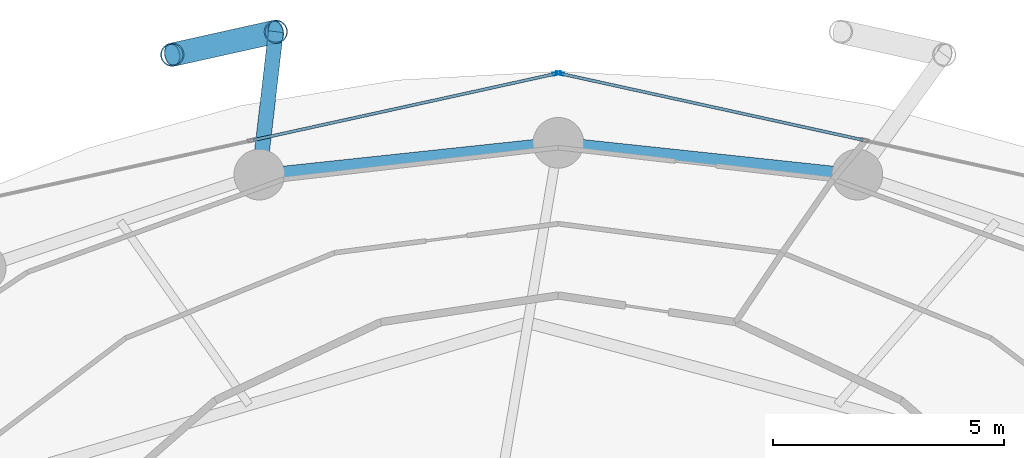
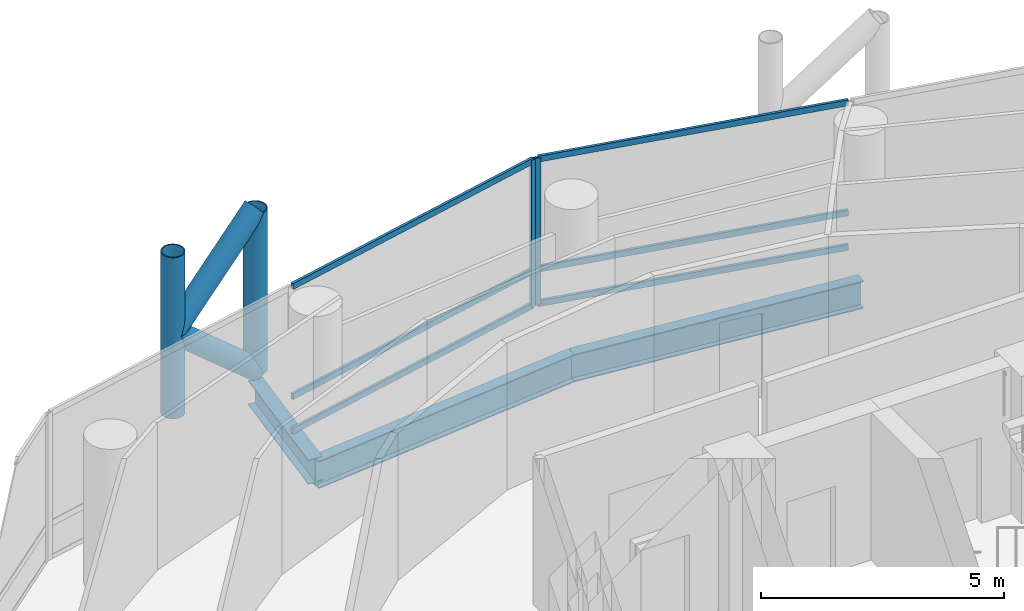
# One storey, part 16 of 27: 12 members, 3 beams, 2 elements without a shape of their own.
"""IFC4 building model written with IfcOpenShell, lengths in metres."""

from ifc_helpers import new_model, si_unit, direction, frame, origin, origin_2d, place, context, subcontext, project, spatial, hollow_rectangle, hollow_circle, i_section, extrude, material, layer, layer_set, material_profile, profile_set, type_object, element, aggregate, save


model = new_model("IFC4")

# Units and contexts
model_context = context("Model", 3, precision=1e-05, world=origin(), true_north=direction((0.0, 1.0)))
body_context = subcontext(model_context, "Body", "Model", "MODEL_VIEW")
ifc_project = project(units=[si_unit("LENGTHUNIT", "METRE"), si_unit("AREAUNIT", "SQUARE_METRE"), si_unit("VOLUMEUNIT", "CUBIC_METRE"), si_unit("PLANEANGLEUNIT", "RADIAN"), si_unit("MASSUNIT", "GRAM", prefix="KILO")], contexts=[model_context])

# Site, building, storey
site_placement = place(None, origin())
site = spatial("IfcSite", under=ifc_project, at=site_placement, CompositionType="ELEMENT")
building_placement = place(site_placement, origin())
building = spatial("IfcBuilding", under=site, at=building_placement, Name="Nuhasar Tower", CompositionType="ELEMENT")
storey_placement = place(building_placement, frame((0.0, 0.0, 102.0)))
storey = spatial("IfcBuildingStorey", under=building, at=storey_placement, Name="L24", CompositionType="ELEMENT", Elevation=102.0)

# Beams
ifc_material_1 = material(Name="Steel S355", Category="steel")
ifc_material_profile_1 = material_profile(ifc_material_1, i_section(OverallWidth=0.256103515625, OverallDepth=0.693115234375, WebThickness=0.014404296875, FlangeThickness=0.023681640625, at=origin_2d()), Name="W27X114")
ifc_profile_set_1 = profile_set([ifc_material_profile_1], Name="Steel S355")
beam_type_1 = type_object("IfcBeamType", Name="BM-RING-W27X114", PredefinedType="SPANDREL", material=ifc_profile_set_1)
for number, where, z_axis, x_axis, name in (
    (1, (45.48291015625, 46.360107421875, -0.596923828125), (-0.994384554061, 0.105827022286, 0.0), (-0.105827022286, -0.994384554061, 0.0), "L24 Perimeter Ring Spandrel 06"),
    (2, (39.0, 47.050048828125, -0.596923828125), (-0.994384554061, -0.105827022286, 0.0), (0.105827022286, -0.994384554061, 0.0), "L24 Perimeter Ring Spandrel 07"),
):
    element("IfcBeam", number, at=place(storey_placement, frame(where, z_axis=z_axis, x_axis=x_axis)), inside=storey, type_object=beam_type_1, Name=name, PredefinedType="SPANDREL", context=body_context, shape_type="SweptSolid", body=[
        extrude(i_section(OverallWidth=0.256103515625, OverallDepth=0.693115234375, WebThickness=0.014404296875, FlangeThickness=0.023681640625, at=origin_2d()), origin(), (0.0, 0.0, 1.0), 6.51953125),
    ])
ifc_material_profile_2 = material_profile(ifc_material_1, i_section(OverallWidth=0.323974609375, OverallDepth=0.611083984375, WebThickness=0.0126953125, FlangeThickness=0.01904296875, at=origin_2d()), Name="W24X104")
ifc_profile_set_2 = profile_set([ifc_material_profile_2], Name="Steel S355")
beam_type_2 = type_object("IfcBeamType", Name="BM-TIE-W24X104", PredefinedType="BEAM", material=ifc_profile_set_2)
beam_placement = place(storey_placement, frame((32.51708984375, 46.360107421875, -0.554931640625), z_axis=(0.115042934281, 0.993360520291, 0.0), x_axis=(-0.993360520291, 0.115042934281, 0.0)))
element("IfcBeam", 3, at=beam_placement, inside=storey, type_object=beam_type_2, Name="L24 Exoskeleton Node Tie Beam 04", PredefinedType="BEAM", context=body_context, shape_type="SweptSolid", body=[
    extrude(i_section(OverallWidth=0.323974609375, OverallDepth=0.611083984375, WebThickness=0.0126953125, FlangeThickness=0.01904296875, at=origin_2d()), origin(), (0.0, 0.0, 1.0), 3.11962890625),
])

# Curtain wall, member
ifc_material_2 = material(Name="Aluminium 6063-T6", Category="aluminium")
ifc_layer = layer(ifc_material_2, 0.199951171875)
ifc_layer_set = layer_set([ifc_layer], Name="Aluminium 6063-T6")
curtain_wall_type = type_object("IfcCurtainWallType", Name="CW-Z1-OFF", PredefinedType="NOTDEFINED", material=ifc_layer_set)
curtain_wall_1_placement = place(storey_placement, origin())
curtain_wall_1 = element("IfcCurtainWall", 4, at=curtain_wall_1_placement, inside=storey, type_object=curtain_wall_type, Name="L24 Unitised Curtain Wall 03", PredefinedType="NOTDEFINED")
ifc_material_profile_3 = material_profile(ifc_material_2, hollow_rectangle(XDim=0.06494140625, YDim=0.179931640625, WallThickness=0.0048828125, at=origin_2d()), Name="CWM-2")
ifc_profile_set_3 = profile_set([ifc_material_profile_3], Name="Aluminium 6063-T6")
member_type_1 = type_object("IfcMemberType", Name="CW-MUL-S2", PredefinedType="MULLION", material=ifc_profile_set_3)
member_1_placement = place(storey_placement, frame((39.03173828125, 48.552978515625, 0.0), z_axis=(0.0, 0.0, 1.0), x_axis=(-0.214398737637, -0.976746221544, 0.0)))
member_1 = element("IfcMember", 5, at=member_1_placement, type_object=member_type_1, Name="CW-Z1 mullion 3", PredefinedType="MULLION", context=body_context, shape_type="SweptSolid", body=[
    extrude(hollow_rectangle(XDim=0.06494140625, YDim=0.179931640625, WallThickness=0.0048828125, at=origin_2d()), origin(), (0.0, 0.0, 1.0), 3.699951171875),
])

curtain_wall_2_placement = place(storey_placement, origin())
curtain_wall_2 = element("IfcCurtainWall", 6, at=curtain_wall_2_placement, inside=storey, type_object=curtain_wall_type, Name="L24 Unitised Curtain Wall 04", PredefinedType="NOTDEFINED")
member_2_placement = place(storey_placement, frame((38.96826171875, 48.552978515625, 0.0), z_axis=(0.0, 0.0, 1.0), x_axis=(0.214398737637, -0.976746221544, 0.0)))
member_2 = element("IfcMember", 7, at=member_2_placement, type_object=member_type_1, Name="CW-Z1 mullion 1", PredefinedType="MULLION", context=body_context, shape_type="SweptSolid", body=[
    extrude(hollow_rectangle(XDim=0.06494140625, YDim=0.179931640625, WallThickness=0.0048828125, at=origin_2d()), origin(), (0.0, 0.0, 1.0), 3.699951171875),
])

# Member
ifc_material_profile_4 = material_profile(ifc_material_2, hollow_rectangle(XDim=0.06494140625, YDim=0.14990234375, WallThickness=0.00439453125, at=origin_2d()), Name="CWT-2")
ifc_profile_set_4 = profile_set([ifc_material_profile_4], Name="Aluminium 6063-T6")
member_type_2 = type_object("IfcMemberType", Name="CW-TRN-S2", PredefinedType="USERDEFINED", material=ifc_profile_set_4)
member_3_placement = place(storey_placement, frame((45.608154296875, 47.109375, 0.032470703125), z_axis=(-0.976740248595, 0.214425947065, 0.0), x_axis=(-0.214425947065, -0.976740248595, 0.0)))
member_3 = element("IfcMember", 8, at=member_3_placement, type_object=member_type_2, Name="CW-Z1 transom 2.1", ObjectType="TRANSOM", PredefinedType="USERDEFINED", context=body_context, shape_type="SweptSolid", body=[
    extrude(hollow_rectangle(XDim=0.06494140625, YDim=0.14990234375, WallThickness=0.00439453125, at=origin_2d()), origin(), (0.0, 0.0, 1.0), 6.700439453125),
])

member_4_placement = place(storey_placement, frame((45.608154296875, 47.109375, 0.89990234375), z_axis=(-0.976740248595, 0.214425947065, 0.0), x_axis=(-0.214425947065, -0.976740248595, 0.0)))
member_4 = element("IfcMember", 9, at=member_4_placement, type_object=member_type_2, Name="CW-Z1 transom 2.2", ObjectType="TRANSOM", PredefinedType="USERDEFINED", context=body_context, shape_type="SweptSolid", body=[
    extrude(hollow_rectangle(XDim=0.06494140625, YDim=0.14990234375, WallThickness=0.00439453125, at=origin_2d()), origin(), (0.0, 0.0, 1.0), 6.700439453125),
])

member_5_placement = place(storey_placement, frame((45.608154296875, 47.109375, 3.66748046875), z_axis=(-0.976740248595, 0.214425947065, 0.0), x_axis=(-0.214425947065, -0.976740248595, 0.0)))
member_5 = element("IfcMember", 10, at=member_5_placement, type_object=member_type_2, Name="CW-Z1 transom 2.3", ObjectType="TRANSOM", PredefinedType="USERDEFINED", context=body_context, shape_type="SweptSolid", body=[
    extrude(hollow_rectangle(XDim=0.06494140625, YDim=0.14990234375, WallThickness=0.00439453125, at=origin_2d()), origin(), (0.0, 0.0, 1.0), 6.700439453125),
])

aggregate(curtain_wall_1, [member_1, member_3, member_4, member_5])

member_6_placement = place(storey_placement, frame((38.9365234375, 48.546142578125, 0.032470703125), z_axis=(-0.976740248595, -0.214425947065, 0.0), x_axis=(0.214425947065, -0.976740248595, 0.0)))
member_6 = element("IfcMember", 11, at=member_6_placement, type_object=member_type_2, Name="CW-Z1 transom 1.1", ObjectType="TRANSOM", PredefinedType="USERDEFINED", context=body_context, shape_type="SweptSolid", body=[
    extrude(hollow_rectangle(XDim=0.06494140625, YDim=0.14990234375, WallThickness=0.00439453125, at=origin_2d()), origin(), (0.0, 0.0, 1.0), 6.700439453125),
])

member_7_placement = place(storey_placement, frame((38.9365234375, 48.546142578125, 0.89990234375), z_axis=(-0.976740248595, -0.214425947065, 0.0), x_axis=(0.214425947065, -0.976740248595, 0.0)))
member_7 = element("IfcMember", 12, at=member_7_placement, type_object=member_type_2, Name="CW-Z1 transom 1.2", ObjectType="TRANSOM", PredefinedType="USERDEFINED", context=body_context, shape_type="SweptSolid", body=[
    extrude(hollow_rectangle(XDim=0.06494140625, YDim=0.14990234375, WallThickness=0.00439453125, at=origin_2d()), origin(), (0.0, 0.0, 1.0), 6.700439453125),
])

member_8_placement = place(storey_placement, frame((38.9365234375, 48.546142578125, 3.66748046875), z_axis=(-0.976740248595, -0.214425947065, 0.0), x_axis=(0.214425947065, -0.976740248595, 0.0)))
member_8 = element("IfcMember", 13, at=member_8_placement, type_object=member_type_2, Name="CW-Z1 transom 1.3", ObjectType="TRANSOM", PredefinedType="USERDEFINED", context=body_context, shape_type="SweptSolid", body=[
    extrude(hollow_rectangle(XDim=0.06494140625, YDim=0.14990234375, WallThickness=0.00439453125, at=origin_2d()), origin(), (0.0, 0.0, 1.0), 6.700439453125),
])

aggregate(curtain_wall_2, [member_2, member_6, member_7, member_8])

# Members
ifc_material_3 = material(Name="Steel S460", Category="steel")
ifc_material_profile_5 = material_profile(ifc_material_3, hollow_circle(Radius=0.25390625, WallThickness=0.025390625, at=origin_2d()), Name="HSS508X25.4")
ifc_profile_set_5 = profile_set([ifc_material_profile_5], Name="Steel S460")
member_type_3 = type_object("IfcMemberType", Name="EXO-BRONZE-508", PredefinedType="BRACE", material=ifc_profile_set_5)
for number, where, z_axis, x_axis, name in (
    (14, (32.8759765625, 49.458984375, 0.0), (0.0, 0.0, 1.0), (1.0, 0.0, 0.0), "L24 Exoskeleton Chord Column EC-04A"),
    (15, (30.6298828125, 48.9599609375, 0.0), (0.0, 0.0, 1.0), (1.0, 0.0, 0.0), "L24 Exoskeleton Chord Column EC-04B"),
):
    element("IfcMember", number, at=place(storey_placement, frame(where, z_axis=z_axis, x_axis=x_axis)), inside=storey, type_object=member_type_3, Name=name, PredefinedType="BRACE", context=body_context, shape_type="SweptSolid", body=[
        extrude(hollow_circle(Radius=0.25390625, WallThickness=0.025390625, at=origin_2d()), origin(), (0.0, 0.0, 1.0), 4.050048828125),
    ])
member_9_placement = place(storey_placement, frame((32.8759765625, 49.458984375, 0.0), z_axis=(-0.732821471909, -0.162813813976, 0.660654487828), x_axis=(0.216885517571, -0.97619704582, 0.0)))
element("IfcMember", 16, at=member_9_placement, inside=storey, type_object=member_type_3, Name="L24 Bronze Diagrid Brace W1-04", PredefinedType="BRACE", context=body_context, shape_type="SweptSolid", body=[
    extrude(hollow_circle(Radius=0.25390625, WallThickness=0.025390625, at=origin_2d()), origin(), (0.0, 0.0, 1.0), 3.06494140625),
])
member_10_placement = place(storey_placement, frame((30.6298828125, 48.9599609375, 2.02490234375), z_axis=(0.732782908552, 0.162805246204, 0.660699372439), x_axis=(-0.216885517571, 0.97619704582, 0.0)))
element("IfcMember", 17, at=member_10_placement, inside=storey, type_object=member_type_3, Name="L24 Bronze Diagrid Brace W2-04", PredefinedType="BRACE", context=body_context, shape_type="SweptSolid", body=[
    extrude(hollow_circle(Radius=0.25390625, WallThickness=0.025390625, at=origin_2d()), origin(), (0.0, 0.0, 1.0), 3.065185546875),
])

save(model, "model.ifc")
